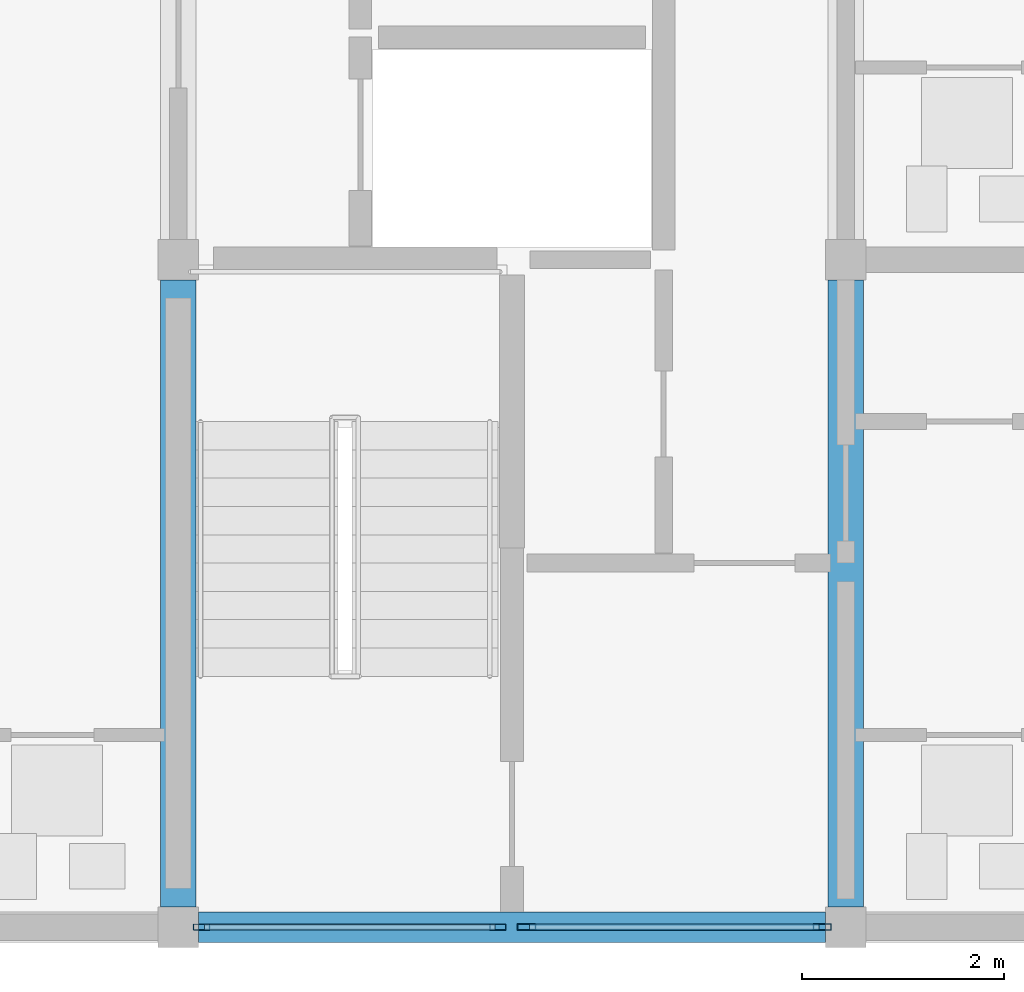
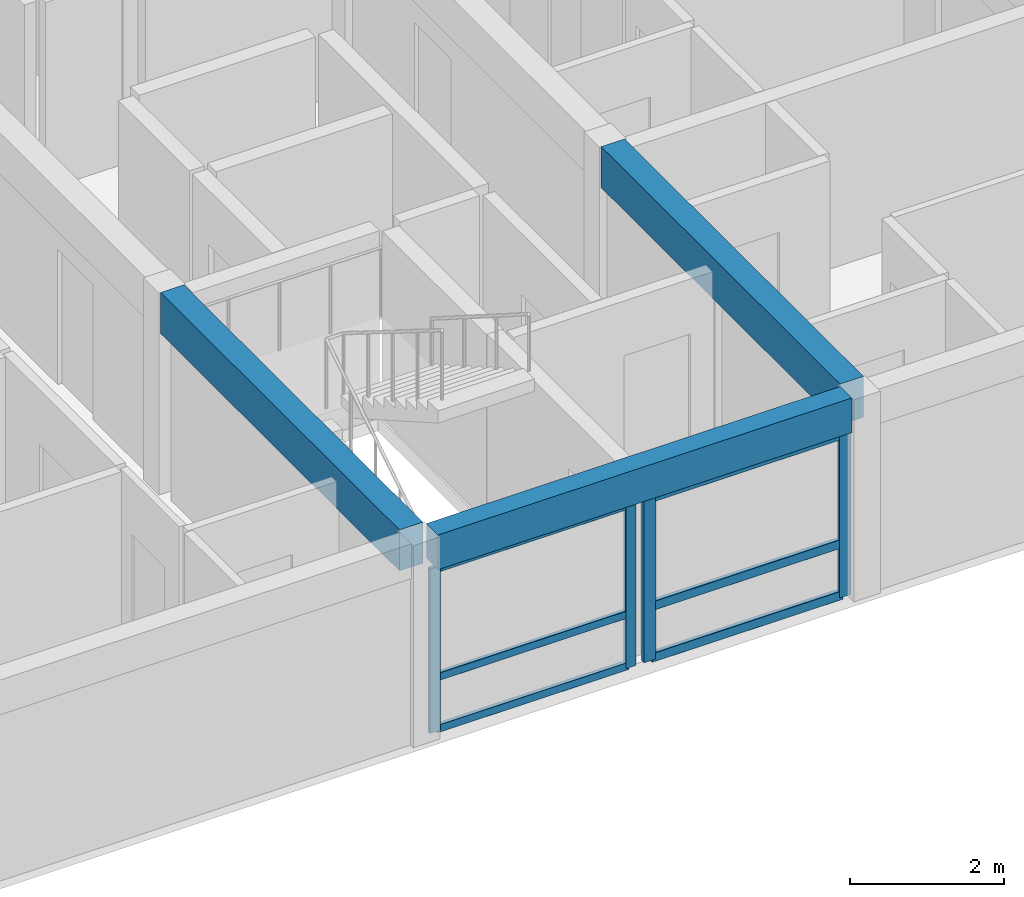
# One storey, part 5 of 37: 10 members, 3 beams, 2 elements without a shape of their own.
"""IFC4 building model written with IfcOpenShell, lengths in metres."""

from ifc_helpers import new_model, si_unit, direction, frame, origin, origin_2d, place, context, subcontext, project, spatial, rectangle, hollow_rectangle, extrude, material, material_profile, profile_set, type_object, element, aggregate, save


model = new_model("IFC4")

# Units and contexts
model_context = context("Model", 3, precision=1e-05, world=origin(), true_north=direction((0.0, 1.0)))
body_context = subcontext(model_context, "Body", "Model", "MODEL_VIEW")
ifc_project = project(units=[si_unit("LENGTHUNIT", "METRE"), si_unit("AREAUNIT", "SQUARE_METRE"), si_unit("VOLUMEUNIT", "CUBIC_METRE"), si_unit("PLANEANGLEUNIT", "RADIAN"), si_unit("MASSUNIT", "GRAM", prefix="KILO")], contexts=[model_context])

# Site, building, storey
site_placement = place(None, origin())
site = spatial("IfcSite", under=ifc_project, at=site_placement, CompositionType="ELEMENT")
building_placement = place(site_placement, origin())
building = spatial("IfcBuilding", under=site, at=building_placement, Name="Kernevlak Ridge Housing Community", CompositionType="ELEMENT")
storey_placement = place(building_placement, frame((0.0, 0.0, 37.199951171875)))
storey = spatial("IfcBuildingStorey", under=building, at=storey_placement, Name="L11", CompositionType="ELEMENT", Elevation=37.199951171875)

# Beams
ifc_material_1 = material(Name="Concrete C35/45", Category="concrete")
ifc_material_profile_1 = material_profile(ifc_material_1, rectangle(XDim=0.35009765625, YDim=0.64990234375, at=origin_2d()), Name="RC 350x650")
ifc_profile_set_1 = profile_set([ifc_material_profile_1], Name="Concrete C35/45")
beam_type_1 = type_object("IfcBeamType", Name="B-02", PredefinedType="BEAM", material=ifc_profile_set_1)
for number, where, z_axis, x_axis, name in (
    (1, (132.60009765625, 15.800048828125, 2.875), (0.0, 1.0, 0.0), (-1.0, 0.0, 0.0), "Beam B-02 L11 1247"),
    (2, (139.199951171875, 15.800048828125, 2.875), (0.0, 1.0, 0.0), (-1.0, 0.0, 0.0), "Beam B-02 L11 1250"),
):
    element("IfcBeam", number, at=place(storey_placement, frame(where, z_axis=z_axis, x_axis=x_axis)), inside=storey, type_object=beam_type_1, Name=name, PredefinedType="BEAM", context=body_context, shape_type="SweptSolid", body=[
        extrude(rectangle(XDim=0.35009765625, YDim=0.64990234375, at=origin_2d()), origin(), (0.0, 0.0, 1.0), 6.199951171875),
    ])

# Curtain wall, members
ifc_material_2 = material(Name="Aluminium EN AW-6060 anodised and laminated glass", Category="aluminium")
curtain_wall_type_1 = type_object("IfcCurtainWallType", Name="CW-07", PredefinedType="NOTDEFINED", material=ifc_material_2)
curtain_wall_1_placement = place(storey_placement, origin())
curtain_wall_1 = element("IfcCurtainWall", 3, at=curtain_wall_1_placement, inside=storey, type_object=curtain_wall_type_1, Name="Curtain wall CW-07 CW-L11-133", PredefinedType="NOTDEFINED")
ifc_material_3 = material(Name="Aluminium EN AW-6060 anodised", Category="aluminium")
ifc_material_profile_2 = material_profile(ifc_material_3, hollow_rectangle(XDim=0.06005859375, YDim=0.159912109375, WallThickness=0.00390625, InnerFilletRadius=0.001953125, OuterFilletRadius=0.00390625, at=origin_2d()), Name="ALU 60x160x4")
ifc_profile_set_2 = profile_set([ifc_material_profile_2], Name="Aluminium EN AW-6060 anodised")
member_type_1 = type_object("IfcMemberType", Name="MU-02", PredefinedType="MULLION", material=ifc_profile_set_2)
member_1_placement = place(storey_placement, frame((132.830078125, 15.60009765625, 0.0), z_axis=(0.0, 0.0, 1.0), x_axis=(0.0, 1.0, 0.0)))
member_1 = element("IfcMember", 4, at=member_1_placement, type_object=member_type_1, Name="CW-07 mullion 1", PredefinedType="MULLION", context=body_context, shape_type="SweptSolid", body=[
    extrude(hollow_rectangle(XDim=0.06005859375, YDim=0.159912109375, WallThickness=0.00390625, InnerFilletRadius=0.001953125, OuterFilletRadius=0.00390625, at=origin_2d()), origin(), (0.0, 0.0, 1.0), 2.60009765625),
])
member_2_placement = place(storey_placement, frame((135.760009765625, 15.60009765625, 0.0), z_axis=(0.0, 0.0, 1.0), x_axis=(0.0, 1.0, 0.0)))
member_2 = element("IfcMember", 5, at=member_2_placement, type_object=member_type_1, Name="CW-07 mullion 2", PredefinedType="MULLION", context=body_context, shape_type="SweptSolid", body=[
    extrude(hollow_rectangle(XDim=0.06005859375, YDim=0.159912109375, WallThickness=0.00390625, InnerFilletRadius=0.001953125, OuterFilletRadius=0.00390625, at=origin_2d()), origin(), (0.0, 0.0, 1.0), 2.60009765625),
])

curtain_wall_type_2 = type_object("IfcCurtainWallType", Name="CW-12", PredefinedType="NOTDEFINED", material=ifc_material_2)
curtain_wall_2_placement = place(storey_placement, origin())
curtain_wall_2 = element("IfcCurtainWall", 6, at=curtain_wall_2_placement, inside=storey, type_object=curtain_wall_type_2, Name="Curtain wall CW-12 CW-L11-134", PredefinedType="NOTDEFINED")
ifc_material_profile_3 = material_profile(ifc_material_3, hollow_rectangle(XDim=0.06494140625, YDim=0.179931640625, WallThickness=0.00439453125, InnerFilletRadius=0.001953125, OuterFilletRadius=0.00439453125, at=origin_2d()), Name="ALU 65x180x4.5")
ifc_profile_set_3 = profile_set([ifc_material_profile_3], Name="Aluminium EN AW-6060 anodised")
member_type_2 = type_object("IfcMemberType", Name="MU-03", PredefinedType="MULLION", material=ifc_profile_set_3)
member_3_placement = place(storey_placement, frame((136.04248046875, 15.60009765625, 0.0), z_axis=(0.0, 0.0, 1.0), x_axis=(0.0, 1.0, 0.0)))
member_3 = element("IfcMember", 7, at=member_3_placement, type_object=member_type_2, Name="CW-12 mullion 1", PredefinedType="MULLION", context=body_context, shape_type="SweptSolid", body=[
    extrude(hollow_rectangle(XDim=0.06494140625, YDim=0.179931640625, WallThickness=0.00439453125, InnerFilletRadius=0.001953125, OuterFilletRadius=0.00439453125, at=origin_2d()), origin(), (0.0, 0.0, 1.0), 2.60009765625),
])
member_4_placement = place(storey_placement, frame((138.967529296875, 15.60009765625, 0.0), z_axis=(0.0, 0.0, 1.0), x_axis=(0.0, 1.0, 0.0)))
member_4 = element("IfcMember", 8, at=member_4_placement, type_object=member_type_2, Name="CW-12 mullion 2", PredefinedType="MULLION", context=body_context, shape_type="SweptSolid", body=[
    extrude(hollow_rectangle(XDim=0.06494140625, YDim=0.179931640625, WallThickness=0.00439453125, InnerFilletRadius=0.001953125, OuterFilletRadius=0.00439453125, at=origin_2d()), origin(), (0.0, 0.0, 1.0), 2.60009765625),
])

# Beam
ifc_material_profile_4 = material_profile(ifc_material_1, rectangle(XDim=0.300048828125, YDim=0.550048828125, at=origin_2d()), Name="RC 300x550")
ifc_profile_set_4 = profile_set([ifc_material_profile_4], Name="Concrete C35/45")
beam_type_2 = type_object("IfcBeamType", Name="SP-01", PredefinedType="SPANDREL", material=ifc_profile_set_4)
beam_placement = place(storey_placement, frame((132.800048828125, 15.60009765625, 2.925048828125), z_axis=(1.0, 0.0, 0.0), x_axis=(0.0, 1.0, 0.0)))
element("IfcBeam", 9, at=beam_placement, inside=storey, type_object=beam_type_2, Name="Beam SP-01 L11 1257", PredefinedType="SPANDREL", context=body_context, shape_type="SweptSolid", body=[
    extrude(rectangle(XDim=0.300048828125, YDim=0.550048828125, at=origin_2d()), origin(), (0.0, 0.0, 1.0), 6.199951171875),
])

# Member
ifc_material_profile_5 = material_profile(ifc_material_3, hollow_rectangle(XDim=0.06005859375, YDim=0.1201171875, WallThickness=0.00390625, InnerFilletRadius=0.001953125, OuterFilletRadius=0.00390625, at=origin_2d()), Name="ALU 60x120x4")
ifc_profile_set_5 = profile_set([ifc_material_profile_5], Name="Aluminium EN AW-6060 anodised")
member_type_3 = type_object("IfcMemberType", Name="TM-02", PredefinedType="USERDEFINED", material=ifc_profile_set_5)
member_5_placement = place(storey_placement, frame((132.860107421875, 15.60009765625, 0.030029296875), z_axis=(1.0, 0.0, 0.0), x_axis=(0.0, 1.0, 0.0)))
member_5 = element("IfcMember", 10, at=member_5_placement, type_object=member_type_3, Name="CW-07 transom 1.1", ObjectType="TRANSOM", PredefinedType="USERDEFINED", context=body_context, shape_type="SweptSolid", body=[
    extrude(hollow_rectangle(XDim=0.06005859375, YDim=0.1201171875, WallThickness=0.00390625, InnerFilletRadius=0.001953125, OuterFilletRadius=0.00390625, at=origin_2d()), origin(), (0.0, 0.0, 1.0), 2.869873046875),
])

member_6_placement = place(storey_placement, frame((132.860107421875, 15.60009765625, 0.85009765625), z_axis=(1.0, 0.0, 0.0), x_axis=(0.0, 1.0, 0.0)))
member_6 = element("IfcMember", 11, at=member_6_placement, type_object=member_type_3, Name="CW-07 transom 1.2", ObjectType="TRANSOM", PredefinedType="USERDEFINED", context=body_context, shape_type="SweptSolid", body=[
    extrude(hollow_rectangle(XDim=0.06005859375, YDim=0.1201171875, WallThickness=0.00390625, InnerFilletRadius=0.001953125, OuterFilletRadius=0.00390625, at=origin_2d()), origin(), (0.0, 0.0, 1.0), 2.869873046875),
])

member_7_placement = place(storey_placement, frame((132.860107421875, 15.60009765625, 2.570068359375), z_axis=(1.0, 0.0, 0.0), x_axis=(0.0, 1.0, 0.0)))
member_7 = element("IfcMember", 12, at=member_7_placement, type_object=member_type_3, Name="CW-07 transom 1.3", ObjectType="TRANSOM", PredefinedType="USERDEFINED", context=body_context, shape_type="SweptSolid", body=[
    extrude(hollow_rectangle(XDim=0.06005859375, YDim=0.1201171875, WallThickness=0.00390625, InnerFilletRadius=0.001953125, OuterFilletRadius=0.00390625, at=origin_2d()), origin(), (0.0, 0.0, 1.0), 2.869873046875),
])

aggregate(curtain_wall_1, [member_1, member_2, member_5, member_6, member_7])

ifc_material_profile_6 = material_profile(ifc_material_3, hollow_rectangle(XDim=0.06494140625, YDim=0.139892578125, WallThickness=0.00390625, InnerFilletRadius=0.001953125, OuterFilletRadius=0.00390625, at=origin_2d()), Name="ALU 65x140x4")
ifc_profile_set_6 = profile_set([ifc_material_profile_6], Name="Aluminium EN AW-6060 anodised")
member_type_4 = type_object("IfcMemberType", Name="TM-03", PredefinedType="USERDEFINED", material=ifc_profile_set_6)
member_8_placement = place(storey_placement, frame((136.074951171875, 15.60009765625, 0.032470703125), z_axis=(1.0, 0.0, 0.0), x_axis=(0.0, 1.0, 0.0)))
member_8 = element("IfcMember", 13, at=member_8_placement, type_object=member_type_4, Name="CW-12 transom 1.1", ObjectType="TRANSOM", PredefinedType="USERDEFINED", context=body_context, shape_type="SweptSolid", body=[
    extrude(hollow_rectangle(XDim=0.06494140625, YDim=0.139892578125, WallThickness=0.00390625, InnerFilletRadius=0.001953125, OuterFilletRadius=0.00390625, at=origin_2d()), origin(), (0.0, 0.0, 1.0), 2.860107421875),
])

member_9_placement = place(storey_placement, frame((136.074951171875, 15.60009765625, 0.85009765625), z_axis=(1.0, 0.0, 0.0), x_axis=(0.0, 1.0, 0.0)))
member_9 = element("IfcMember", 14, at=member_9_placement, type_object=member_type_4, Name="CW-12 transom 1.2", ObjectType="TRANSOM", PredefinedType="USERDEFINED", context=body_context, shape_type="SweptSolid", body=[
    extrude(hollow_rectangle(XDim=0.06494140625, YDim=0.139892578125, WallThickness=0.00390625, InnerFilletRadius=0.001953125, OuterFilletRadius=0.00390625, at=origin_2d()), origin(), (0.0, 0.0, 1.0), 2.860107421875),
])

member_10_placement = place(storey_placement, frame((136.074951171875, 15.60009765625, 2.567626953125), z_axis=(1.0, 0.0, 0.0), x_axis=(0.0, 1.0, 0.0)))
member_10 = element("IfcMember", 15, at=member_10_placement, type_object=member_type_4, Name="CW-12 transom 1.3", ObjectType="TRANSOM", PredefinedType="USERDEFINED", context=body_context, shape_type="SweptSolid", body=[
    extrude(hollow_rectangle(XDim=0.06494140625, YDim=0.139892578125, WallThickness=0.00390625, InnerFilletRadius=0.001953125, OuterFilletRadius=0.00390625, at=origin_2d()), origin(), (0.0, 0.0, 1.0), 2.860107421875),
])

aggregate(curtain_wall_2, [member_3, member_4, member_8, member_9, member_10])

save(model, "model.ifc")
